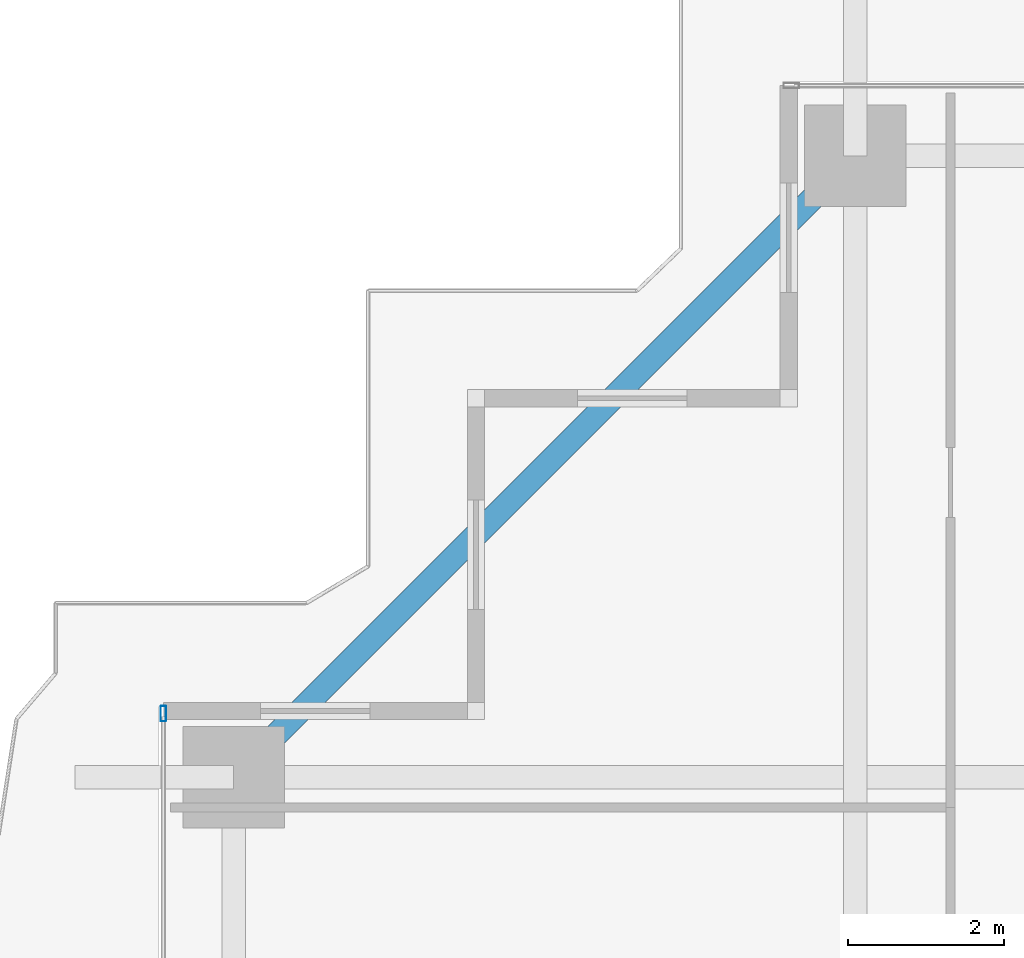
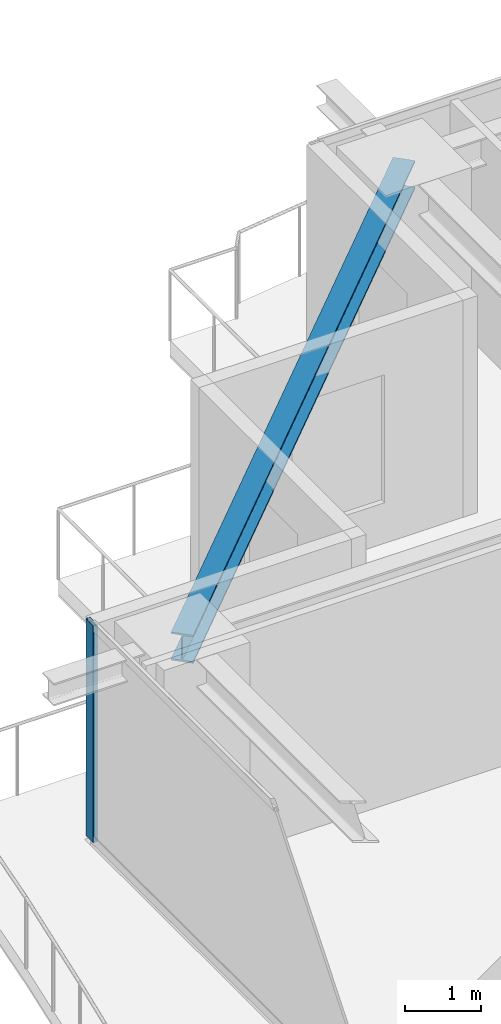
# One storey, part 19 of 37: 1 beam, 1 member, 1 element without a shape of its own.
"""IFC4 building model written with IfcOpenShell, lengths in metres."""

from ifc_helpers import new_model, si_unit, direction, frame, origin, origin_2d, place, context, subcontext, project, spatial, hollow_rectangle, i_section, extrude, source, transform, mapped, material, layer, layer_set, material_profile, profile_set, type_object, element, aggregate, save


model = new_model("IFC4")

# Units and contexts
model_context = context("Model", 3, precision=1e-05, world=origin(), true_north=direction((0.0, 1.0)))
body_context = subcontext(model_context, "Body", "Model", "MODEL_VIEW")
ifc_project = project(units=[si_unit("LENGTHUNIT", "METRE"), si_unit("AREAUNIT", "SQUARE_METRE"), si_unit("VOLUMEUNIT", "CUBIC_METRE"), si_unit("PLANEANGLEUNIT", "RADIAN"), si_unit("MASSUNIT", "GRAM", prefix="KILO")], contexts=[model_context])

# Site, building, storey
site_placement = place(None, origin())
site = spatial("IfcSite", under=ifc_project, at=site_placement, CompositionType="ELEMENT")
building_placement = place(site_placement, origin())
building = spatial("IfcBuilding", under=site, at=building_placement, Name="Serunith Strait Residences", CompositionType="ELEMENT")
storey_placement = place(building_placement, frame((0.0, 0.0, 127.64990234375)))
storey = spatial("IfcBuildingStorey", under=building, at=storey_placement, Name="L31", CompositionType="ELEMENT", Elevation=127.64990234375)

# Beam
ifc_material_1 = material(Name="Steel S355J2", Category="steel")
ifc_material_profile_1 = material_profile(ifc_material_1, i_section(OverallWidth=0.300048828125, OverallDepth=0.449951171875, WebThickness=0.013916015625, FlangeThickness=0.02587890625, FilletRadius=0.027099609375, at=origin_2d()), Name="HEB 450")
ifc_profile_set_1 = profile_set([ifc_material_profile_1], Name="Steel S355J2")
beam_type = type_object("IfcBeamType", Name="BM-HEB450", PredefinedType="BEAM", material=ifc_profile_set_1)
shared_shape_1 = source(origin(), body_context, "Body", "SweptSolid", [
    extrude(i_section(OverallWidth=0.300048828125, OverallDepth=0.449951171875, WebThickness=0.013916015625, FlangeThickness=0.02587890625, FilletRadius=0.027099609375, at=origin_2d()), origin(), (0.0, 0.0, 1.0), 11.2431640625),
])
beam_placement = place(storey_placement, frame((16.64990234375, 48.10009765625, 3.232177734375), z_axis=(-0.707095923751, -0.707117638455, 0.0), x_axis=(0.707117638455, -0.707095923751, 0.0)))
element("IfcBeam", 1, at=beam_placement, inside=storey, type_object=beam_type, Name="L31 Perimeter Ring Beam 12", PredefinedType="BEAM", context=body_context, shape_type="MappedRepresentation", body=[
    mapped(shared_shape_1, transform((0.0, 0.0, 0.0), scale=1.0)),
])

# Curtain wall, member
ifc_material_2 = material(Name="Pale-Champagne Anodised Aluminium", Category="aluminium")
ifc_layer = layer(ifc_material_2, 0.199951171875, Name="Pale-Champagne Anodised Aluminium")
ifc_layer_set = layer_set([ifc_layer], Name="Pale-Champagne Anodised Aluminium")
curtain_wall_type = type_object("IfcCurtainWallType", Name="CW-SYS2", PredefinedType="NOTDEFINED", material=ifc_layer_set)
curtain_wall_placement = place(storey_placement, origin())
curtain_wall = element("IfcCurtainWall", 2, at=curtain_wall_placement, inside=storey, type_object=curtain_wall_type, Name="L31 W Unitised Fritted Curtain Wall", PredefinedType="NOTDEFINED")
ifc_material_profile_2 = material_profile(ifc_material_2, hollow_rectangle(XDim=0.070068359375, YDim=0.199951171875, WallThickness=0.00390625, InnerFilletRadius=0.006103515625, OuterFilletRadius=0.010009765625, at=origin_2d()), Name="ALU 200x70x4")
ifc_profile_set_2 = profile_set([ifc_material_profile_2], Name="Pale-Champagne Anodised Aluminium")
member_type = type_object("IfcMemberType", Name="CW-SYS2-MULL", PredefinedType="MULLION", material=ifc_profile_set_2)
shared_shape_2 = source(origin(), body_context, "Body", "SweptSolid", [
    extrude(hollow_rectangle(XDim=0.070068359375, YDim=0.199951171875, WallThickness=0.00390625, InnerFilletRadius=0.006103515625, OuterFilletRadius=0.010009765625, at=origin_2d()), origin(), (0.0, 0.0, 1.0), 3.47509765625),
])
member_placement = place(storey_placement, frame((7.800048828125, 40.965087890625, 0.0), z_axis=(0.0, 0.0, 1.0), x_axis=(1.0, 0.0, 0.0)))
member = element("IfcMember", 3, at=member_placement, type_object=member_type, Name="CW-2 mullion 1", PredefinedType="MULLION", context=body_context, shape_type="MappedRepresentation", body=[
    mapped(shared_shape_2, transform((0.0, 0.0, 0.0), scale=1.0)),
])
aggregate(curtain_wall, [member])

save(model, "model.ifc")
